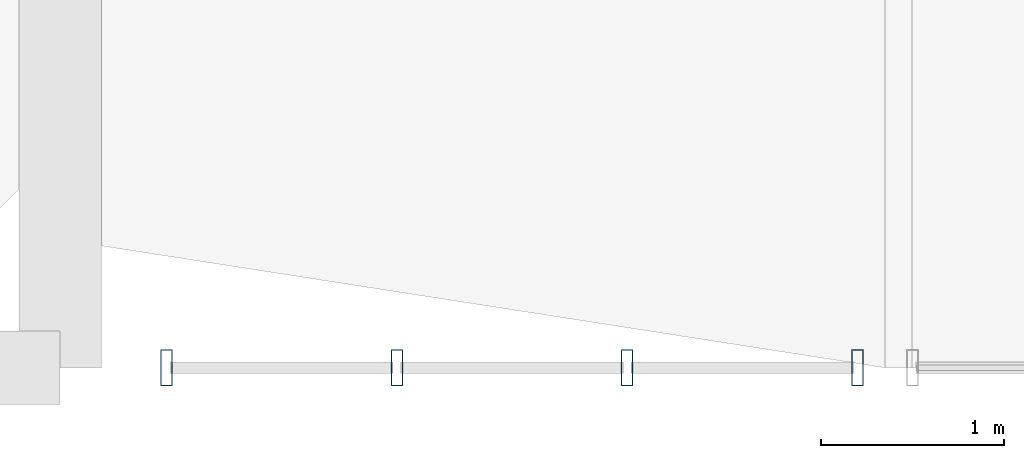
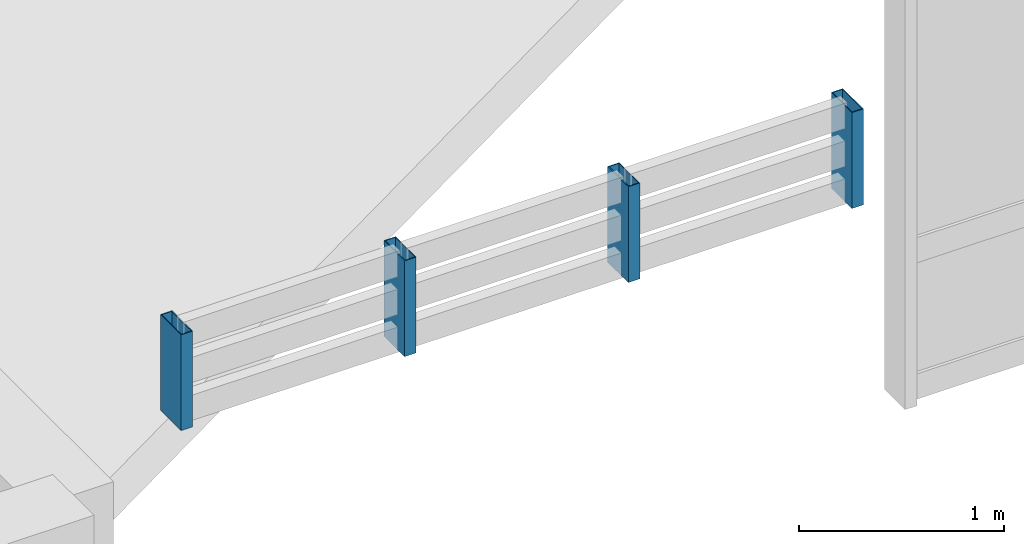
# One storey, part 62 of 82: 4 members, 1 element without a shape of its own.
"""IFC4 building model written with IfcOpenShell, lengths in metres."""

from ifc_helpers import new_model, si_unit, direction, frame, origin, origin_2d, place, context, subcontext, project, spatial, hollow_rectangle, extrude, material, layer, layer_set, material_profile, profile_set, type_object, element, aggregate, save


model = new_model("IFC4")

# Units and contexts
model_context = context("Model", 3, precision=1e-05, world=origin(), true_north=direction((0.0, 1.0)))
body_context = subcontext(model_context, "Body", "Model", "MODEL_VIEW")
ifc_project = project(units=[si_unit("LENGTHUNIT", "METRE"), si_unit("AREAUNIT", "SQUARE_METRE"), si_unit("VOLUMEUNIT", "CUBIC_METRE"), si_unit("PLANEANGLEUNIT", "RADIAN"), si_unit("MASSUNIT", "GRAM", prefix="KILO")], contexts=[model_context])

# Site, building, storey
site_placement = place(None, origin())
site = spatial("IfcSite", under=ifc_project, at=site_placement, CompositionType="ELEMENT")
building_placement = place(site_placement, origin())
building = spatial("IfcBuilding", under=site, at=building_placement, Name="Mersad Railyard Sports Hall", CompositionType="ELEMENT")
storey_placement = place(building_placement, frame((0.0, 0.0, 13.199951171875)))
storey = spatial("IfcBuildingStorey", under=building, at=storey_placement, Name="L03", CompositionType="ELEMENT", Elevation=13.199951171875)

# Curtain wall, members
ifc_material = material(Name="Aluminium 6063-T6", Category="aluminium")
ifc_layer = layer(ifc_material, 0.199951171875)
ifc_layer_set = layer_set([ifc_layer], Name="Aluminium 6063-T6")
curtain_wall_type = type_object("IfcCurtainWallType", Name="ARC-CW-CW40", PredefinedType="USERDEFINED", material=ifc_layer_set)
curtain_wall_placement = place(storey_placement, origin())
curtain_wall = element("IfcCurtainWall", 1, at=curtain_wall_placement, inside=storey, type_object=curtain_wall_type, Name="Curtain wall CW40-0112", ObjectType="CURTAIN WALL", PredefinedType="USERDEFINED")
ifc_material_profile = material_profile(ifc_material, hollow_rectangle(XDim=0.06494140625, YDim=0.199951171875, WallThickness=0.0048828125, at=origin_2d()), Name="AL MULLION 65x200x5")
ifc_profile_set = profile_set([ifc_material_profile], Name="Aluminium 6063-T6")
member_type = type_object("IfcMemberType", Name="ARC-CW-MUL02", PredefinedType="MULLION", material=ifc_profile_set)
member_1_placement = place(storey_placement, frame((141.35009765625, 3.5, 0.030029296875), z_axis=(0.0, 0.0, 1.0), x_axis=(1.0, 0.0, 0.0)))
member_1 = element("IfcMember", 2, at=member_1_placement, type_object=member_type, Name="CW40 Mullion 1", PredefinedType="MULLION", context=body_context, shape_type="SweptSolid", body=[
    extrude(hollow_rectangle(XDim=0.06494140625, YDim=0.199951171875, WallThickness=0.0048828125, at=origin_2d()), origin(), (0.0, 0.0, 1.0), 0.570068359375),
])
member_2_placement = place(storey_placement, frame((140.09326171875, 3.5, 0.030029296875), z_axis=(0.0, 0.0, 1.0), x_axis=(1.0, 0.0, 0.0)))
member_2 = element("IfcMember", 3, at=member_2_placement, type_object=member_type, Name="CW40 Mullion 2", PredefinedType="MULLION", context=body_context, shape_type="SweptSolid", body=[
    extrude(hollow_rectangle(XDim=0.06494140625, YDim=0.199951171875, WallThickness=0.0048828125, at=origin_2d()), origin(), (0.0, 0.0, 1.0), 0.570068359375),
])
member_3_placement = place(storey_placement, frame((138.836669921875, 3.5, 0.030029296875), z_axis=(0.0, 0.0, 1.0), x_axis=(1.0, 0.0, 0.0)))
member_3 = element("IfcMember", 4, at=member_3_placement, type_object=member_type, Name="CW40 Mullion 3", PredefinedType="MULLION", context=body_context, shape_type="SweptSolid", body=[
    extrude(hollow_rectangle(XDim=0.06494140625, YDim=0.199951171875, WallThickness=0.0048828125, at=origin_2d()), origin(), (0.0, 0.0, 1.0), 0.570068359375),
])
member_4_placement = place(storey_placement, frame((137.580078125, 3.5, 0.030029296875), z_axis=(0.0, 0.0, 1.0), x_axis=(1.0, 0.0, 0.0)))
member_4 = element("IfcMember", 5, at=member_4_placement, type_object=member_type, Name="CW40 Mullion 4", PredefinedType="MULLION", context=body_context, shape_type="SweptSolid", body=[
    extrude(hollow_rectangle(XDim=0.06494140625, YDim=0.199951171875, WallThickness=0.0048828125, at=origin_2d()), origin(), (0.0, 0.0, 1.0), 0.570068359375),
])
aggregate(curtain_wall, [member_1, member_2, member_3, member_4])

save(model, "model.ifc")
